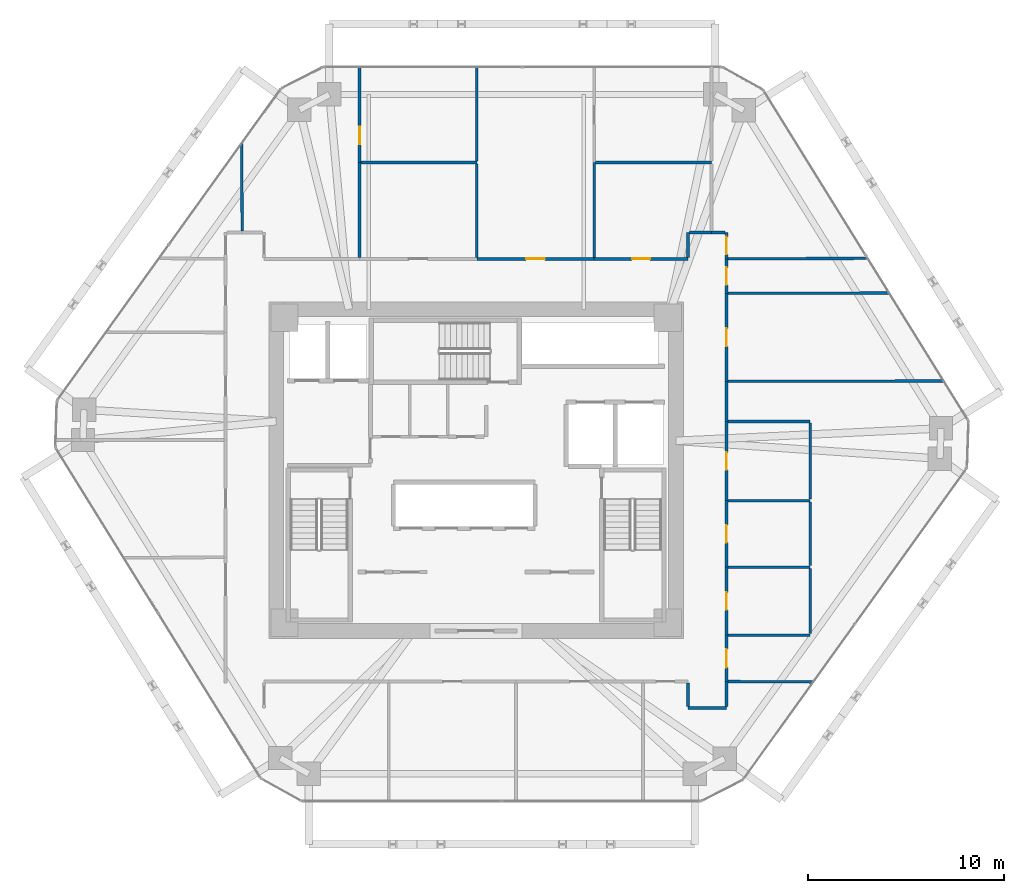
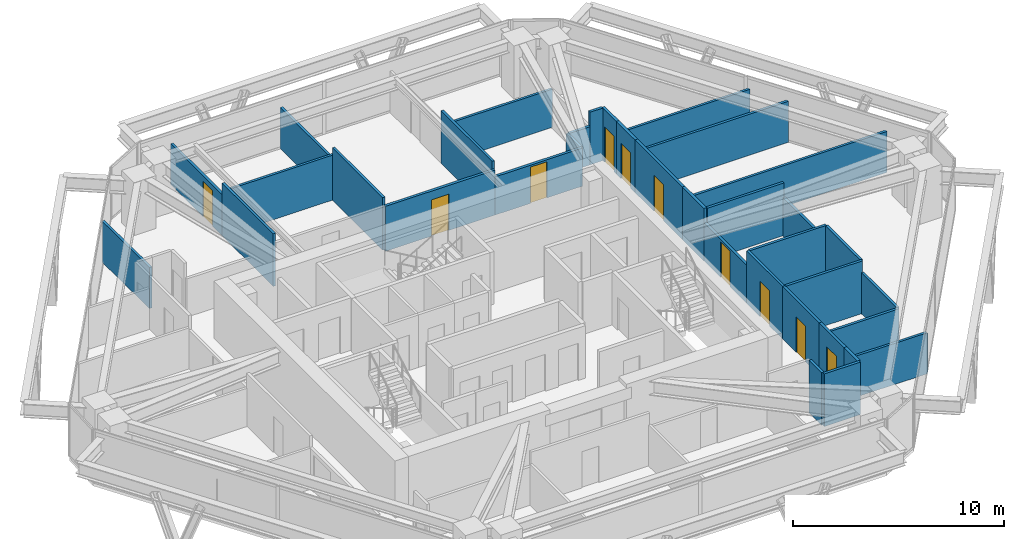
# One storey, part 12 of 14: 35 walls, 10 doors, 10 openings.
"""IFC4 building model written with IfcOpenShell, lengths in metres."""

from ifc_helpers import new_model, si_unit, direction, frame, frame_2d, origin, place, context, subcontext, project, spatial, rectangle, extrude, source, transform, mapped, material, layer, layer_set, type_object, type_shapes, element, fill, save


model = new_model("IFC4")

# Units and contexts
model_context = context("Model", 3, precision=1e-05, world=origin(), true_north=direction((0.0, 1.0)))
body_context = subcontext(model_context, "Body", "Model", "MODEL_VIEW")
ifc_project = project(units=[si_unit("LENGTHUNIT", "METRE"), si_unit("AREAUNIT", "SQUARE_METRE"), si_unit("VOLUMEUNIT", "CUBIC_METRE"), si_unit("PLANEANGLEUNIT", "RADIAN"), si_unit("MASSUNIT", "GRAM", prefix="KILO")], contexts=[model_context])

# Site, building, storey
site_placement = place(None, origin())
site = spatial("IfcSite", under=ifc_project, at=site_placement, CompositionType="ELEMENT")
building_placement = place(site_placement, origin())
building = spatial("IfcBuilding", under=site, at=building_placement, Name="Durnholm Broadcast Tower", CompositionType="ELEMENT")
storey_placement = place(building_placement, frame((0.0, 0.0, 120.60009765625)))
storey = spatial("IfcBuildingStorey", under=building, at=storey_placement, Name="L32", CompositionType="ELEMENT", Elevation=120.60009765625)

# Walls
ifc_material_1 = material(Name="Gypsum Metal Stud Partition", Category="concrete")
ifc_layer_1 = layer(ifc_material_1, 0.135009765625)
ifc_layer_set_1 = layer_set([ifc_layer_1], Name="Gypsum Metal Stud Partition")
wall_type_1 = type_object("IfcWallType", Name="WALL-PART-135", PredefinedType="PARTITIONING", material=ifc_layer_set_1)
wall_1_placement = place(storey_placement, frame((-11.992431640625, 16.706787109375, 0.0), z_axis=(0.0, 0.0, 1.0), x_axis=(0.007103645899, -0.999974768789, 0.0)))
element("IfcWall", 1, at=wall_1_placement, inside=storey, type_object=wall_type_1, Name="L32 room dividing partition 10.11", PredefinedType="PARTITIONING", context=body_context, shape_type="SweptSolid", body=[
    extrude(rectangle(XDim=4.4677734375, YDim=0.135009765625, at=frame_2d((2.23388671875, 0.0))), origin(), (0.0, 0.0, 1.0), 2.3798828125),
])
wall_2_placement = place(storey_placement, frame((-5.9599609375, 15.73291015625, 0.0), z_axis=(0.0, 0.0, 1.0), x_axis=(0.0, -1.0, 0.0)))
element("IfcWall", 2, at=wall_2_placement, inside=storey, type_object=wall_type_1, Name="L32 room dividing partition 11.12", PredefinedType="PARTITIONING", context=body_context, shape_type="SweptSolid", body=[
    extrude(rectangle(XDim=4.843994140625, YDim=0.135009765625, at=frame_2d((2.421875, 0.0))), origin(), (0.0, 0.0, 1.0), 3.044921875),
])

# Wall, opening, door
wall_3_placement = place(storey_placement, frame((-5.9599609375, 20.614990234375, 0.0), z_axis=(0.0, 0.0, 1.0), x_axis=(0.0, -1.0, 0.0)))
wall_3 = element("IfcWall", 3, at=wall_3_placement, inside=storey, type_object=wall_type_1, Name="L32 room dividing partition 11.13", PredefinedType="PARTITIONING", context=body_context, shape_type="SweptSolid", body=[
    extrude(rectangle(XDim=4.882080078125, YDim=0.135009765625, at=frame_2d((2.44091796875, 0.0))), origin(), (0.0, 0.0, 1.0), 2.3798828125),
])
opening_1_placement = place(wall_3_placement, frame((3.050048828125, 0.0, 0.0)))
opening_1 = element("IfcOpeningElement", 4, at=opening_1_placement, cuts=wall_3, Name="Opening DW-90L", PredefinedType="OPENING", context=body_context, shape_type="SweptSolid", body=[
    extrude(rectangle(XDim=0.89990234375, YDim=2.050048828125, at=frame_2d((0.449951171875, 1.02490234375))), frame((0.0, 0.07763671875, 0.0), z_axis=(0.0, -1.0, 0.0), x_axis=(1.0, 0.0, 0.0)), (0.0, 0.0, 1.0), 0.155029296875),
])
ifc_material_2 = material(Name="Laminate Restroom Door", Category="steel")
ifc_layer_2 = layer(ifc_material_2, 0.050048828125)
ifc_layer_set_2 = layer_set([ifc_layer_2], Name="Laminate Restroom Door")
door_type_1 = type_object("IfcDoorType", Name="DOOR-WC-900L", OperationType="NOTDEFINED", PredefinedType="DOOR", material=ifc_layer_set_2)
shared_shape_1 = source(origin(), body_context, "Body", "SweptSolid", [
    extrude(rectangle(XDim=0.89990234375, YDim=2.050048828125, at=frame_2d((0.449951171875, 1.02490234375))), frame((0.0, 0.02490234375, 0.0), z_axis=(0.0, -1.0, 0.0), x_axis=(1.0, 0.0, 0.0)), (0.0, 0.0, 1.0), 0.050048828125),
])
type_shapes(door_type_1, [shared_shape_1])
door_1_placement = place(opening_1_placement, origin())
door_1 = element("IfcDoor", 5, at=door_1_placement, inside=storey, type_object=door_type_1, Name="L32 Sales Presentation Hall connecting door", OperationType="SINGLE_SWING_LEFT", OverallHeight=2.050048828125, OverallWidth=0.89990234375, PredefinedType="DOOR", context=body_context, shape_type="MappedRepresentation", body=[
    mapped(shared_shape_1, transform((0.0, 0.0, 0.0), x_axis=(1.0, 0.0, 0.0), y_axis=(0.0, 1.0, 0.0), z_axis=(0.0, 0.0, 1.0), scale=1.0)),
])
fill(opening_1, door_1)

# Walls
wall_4_placement = place(storey_placement, frame((-5.888427734375, 15.73291015625, 0.0), z_axis=(0.0, 0.0, 1.0), x_axis=(1.0, 0.0, 0.0)))
element("IfcWall", 6, at=wall_4_placement, inside=storey, type_object=wall_type_1, Name="L32 room dividing partition 12.13", PredefinedType="PARTITIONING", context=body_context, shape_type="SweptSolid", body=[
    extrude(rectangle(XDim=5.928466796875, YDim=0.135009765625, at=frame_2d((2.96435546875, 0.0))), origin(), (0.0, 0.0, 1.0), 2.608154296875),
])
wall_5_placement = place(storey_placement, frame((0.0400390625, 15.66162109375, 0.0), z_axis=(0.0, 0.0, 1.0), x_axis=(0.0, -1.0, 0.0)))
element("IfcWall", 7, at=wall_5_placement, inside=storey, type_object=wall_type_1, Name="L32 room dividing partition 12.14", PredefinedType="PARTITIONING", context=body_context, shape_type="SweptSolid", body=[
    extrude(rectangle(XDim=4.772705078125, YDim=0.135009765625, at=frame_2d((2.38623046875, 0.0))), origin(), (0.0, 0.0, 1.0), 3.044921875),
])
wall_6_placement = place(storey_placement, frame((0.0400390625, 20.614990234375, 0.0), z_axis=(0.0, 0.0, 1.0), x_axis=(0.0, -1.0, 0.0)))
element("IfcWall", 8, at=wall_6_placement, inside=storey, type_object=wall_type_1, Name="L32 room dividing partition 13.14", PredefinedType="PARTITIONING", context=body_context, shape_type="SweptSolid", body=[
    extrude(rectangle(XDim=4.810546875, YDim=0.135009765625, at=frame_2d((2.4052734375, 0.0))), origin(), (0.0, 0.0, 1.0), 2.3798828125),
])
wall_7_placement = place(storey_placement, frame((6.0400390625, 15.73291015625, 0.0), z_axis=(0.0, 0.0, 1.0), x_axis=(0.0, -1.0, 0.0)))
element("IfcWall", 9, at=wall_7_placement, inside=storey, type_object=wall_type_1, Name="L32 room dividing partition 14.15", PredefinedType="PARTITIONING", context=body_context, shape_type="SweptSolid", body=[
    extrude(rectangle(XDim=4.843994140625, YDim=0.135009765625, at=frame_2d((2.421875, 0.0))), origin(), (0.0, 0.0, 1.0), 3.044921875),
])
wall_8_placement = place(storey_placement, frame((6.111572265625, 15.73291015625, 0.0), z_axis=(0.0, 0.0, 1.0), x_axis=(1.0, 0.0, 0.0)))
element("IfcWall", 10, at=wall_8_placement, inside=storey, type_object=wall_type_1, Name="L32 room dividing partition 15.16", PredefinedType="PARTITIONING", context=body_context, shape_type="SweptSolid", body=[
    extrude(rectangle(XDim=5.928466796875, YDim=0.135009765625, at=frame_2d((2.96435546875, 0.0))), origin(), (0.0, 0.0, 1.0), 2.2119140625),
])
wall_9_placement = place(storey_placement, frame((20.03515625, 10.8310546875, 0.0), z_axis=(0.0, 0.0, 1.0), x_axis=(-0.999995783715, -0.002903885812, 0.0)))
element("IfcWall", 11, at=wall_9_placement, inside=storey, type_object=wall_type_1, Name="L32 room dividing partition 17.28", PredefinedType="PARTITIONING", context=body_context, shape_type="SweptSolid", body=[
    extrude(rectangle(XDim=7.146240234375, YDim=0.135009765625, at=frame_2d((3.5732421875, 0.0))), origin(), (0.0, 0.0, 1.0), 2.3798828125),
])
wall_10_placement = place(storey_placement, frame((12.888916015625, -10.810302734375, 0.0), z_axis=(0.0, 0.0, 1.0), x_axis=(0.999986140562, -0.005264853658, 0.0)))
element("IfcWall", 12, at=wall_10_placement, inside=storey, type_object=wall_type_1, Name="L32 room dividing partition 21.26", PredefinedType="PARTITIONING", context=body_context, shape_type="SweptSolid", body=[
    extrude(rectangle(XDim=4.35888671875, YDim=0.135009765625, at=frame_2d((2.179443359375, 0.0))), origin(), (0.0, 0.0, 1.0), 2.3798828125),
])
wall_11_placement = place(storey_placement, frame((12.888916015625, 4.5400390625, 0.0), z_axis=(0.0, 0.0, 1.0), x_axis=(0.999998190037, 0.00190260933, 0.0)))
element("IfcWall", 13, at=wall_11_placement, inside=storey, type_object=wall_type_1, Name="L32 room dividing partition 26.27", PredefinedType="PARTITIONING", context=body_context, shape_type="SweptSolid", body=[
    extrude(rectangle(XDim=11.035400390625, YDim=0.135009765625, at=frame_2d((5.517578125, 0.0))), origin(), (0.0, 0.0, 1.0), 2.3798828125),
])
wall_12_placement = place(storey_placement, frame((12.888916015625, 9.040283203125, 0.0), z_axis=(0.0, 0.0, 1.0), x_axis=(0.999996831927, 0.00251716805, 0.0)))
element("IfcWall", 14, at=wall_12_placement, inside=storey, type_object=wall_type_1, Name="L32 room dividing partition 27.28", PredefinedType="PARTITIONING", context=body_context, shape_type="SweptSolid", body=[
    extrude(rectangle(XDim=8.244140625, YDim=0.135009765625, at=frame_2d((4.1220703125, 0.0))), origin(), (0.0, 0.0, 1.0), 2.3798828125),
])

# Wall, opening, door
ifc_material_3 = material(Name="Acoustic Gypsum Stud Partition", Category="concrete")
ifc_layer_3 = layer(ifc_material_3, 0.14990234375)
ifc_layer_set_3 = layer_set([ifc_layer_3], Name="Acoustic Gypsum Stud Partition")
wall_type_2 = type_object("IfcWallType", Name="WALL-PART-150", PredefinedType="PARTITIONING", material=ifc_layer_set_3)
wall_13_placement = place(storey_placement, frame((6.0400390625, 10.81005859375, 0.0), z_axis=(0.0, 0.0, 1.0), x_axis=(-1.0, 0.0, 0.0)))
wall_13 = element("IfcWall", 15, at=wall_13_placement, inside=storey, type_object=wall_type_2, Name="L32 Research Meeting Room corridor partition", PredefinedType="PARTITIONING", context=body_context, shape_type="SweptSolid", body=[
    extrude(rectangle(XDim=6.0, YDim=0.14990234375, at=frame_2d((3.0, 0.0))), origin(), (0.0, 0.0, 1.0), 2.608154296875),
])
opening_2_placement = place(wall_13_placement, frame((2.52490234375, 0.0, 0.0)))
opening_2 = element("IfcOpeningElement", 16, at=opening_2_placement, cuts=wall_13, Name="Opening DR-95R", PredefinedType="OPENING", context=body_context, shape_type="SweptSolid", body=[
    extrude(rectangle(XDim=0.949951171875, YDim=2.10009765625, at=frame_2d((0.47509765625, 1.050048828125))), frame((0.0, 0.0849609375, 0.0), z_axis=(0.0, -1.0, 0.0), x_axis=(1.0, 0.0, 0.0)), (0.0, 0.0, 1.0), 0.169921875),
])
ifc_material_4 = material(Name="Acoustic Oak Veneer Timber Door", Category="wood")
ifc_layer_4 = layer(ifc_material_4, 0.050048828125)
ifc_layer_set_4 = layer_set([ifc_layer_4], Name="Acoustic Oak Veneer Timber Door")
door_type_2 = type_object("IfcDoorType", Name="DOOR-RM-950R", OperationType="NOTDEFINED", PredefinedType="DOOR", material=ifc_layer_set_4)
shared_shape_2 = source(origin(), body_context, "Body", "SweptSolid", [
    extrude(rectangle(XDim=0.949951171875, YDim=2.10009765625, at=frame_2d((0.47509765625, 1.050048828125))), frame((0.0, 0.02490234375, 0.0), z_axis=(0.0, -1.0, 0.0), x_axis=(1.0, 0.0, 0.0)), (0.0, 0.0, 1.0), 0.050048828125),
])
type_shapes(door_type_2, [shared_shape_2])
door_2_placement = place(opening_2_placement, origin())
door_2 = element("IfcDoor", 17, at=door_2_placement, inside=storey, type_object=door_type_2, Name="L32 Research Meeting Room entrance door", OperationType="SINGLE_SWING_RIGHT", OverallHeight=2.10009765625, OverallWidth=0.949951171875, PredefinedType="DOOR", context=body_context, shape_type="MappedRepresentation", body=[
    mapped(shared_shape_2, transform((0.0, 0.0, 0.0), x_axis=(1.0, 0.0, 0.0), y_axis=(0.0, 1.0, 0.0), z_axis=(0.0, 0.0, 1.0), scale=1.0)),
])
fill(opening_2, door_2)

wall_14_placement = place(storey_placement, frame((10.840087890625, 10.81005859375, 0.0), z_axis=(0.0, 0.0, 1.0), x_axis=(-1.0, 0.0, 0.0)))
wall_14 = element("IfcWall", 18, at=wall_14_placement, inside=storey, type_object=wall_type_2, Name="L32 Hospitality Kitchen corridor partition", PredefinedType="PARTITIONING", context=body_context, shape_type="SweptSolid", body=[
    extrude(rectangle(XDim=4.800048828125, YDim=0.14990234375, at=frame_2d((2.39990234375, 0.0))), origin(), (0.0, 0.0, 1.0), 2.2119140625),
])
opening_3_placement = place(wall_14_placement, frame((1.93994140625, 0.0, 0.0)))
opening_3 = element("IfcOpeningElement", 19, at=opening_3_placement, cuts=wall_14, Name="Opening DR-92L", PredefinedType="OPENING", context=body_context, shape_type="SweptSolid", body=[
    extrude(rectangle(XDim=0.919921875, YDim=2.10009765625, at=frame_2d((0.4599609375, 1.050048828125))), frame((0.0, 0.0849609375, 0.0), z_axis=(0.0, -1.0, 0.0), x_axis=(1.0, 0.0, 0.0)), (0.0, 0.0, 1.0), 0.169921875),
])
ifc_material_5 = material(Name="Oak Veneer Office Door", Category="wood")
ifc_layer_5 = layer(ifc_material_5, 0.050048828125)
ifc_layer_set_5 = layer_set([ifc_layer_5], Name="Oak Veneer Office Door")
door_type_3 = type_object("IfcDoorType", Name="DOOR-RM-920L", OperationType="NOTDEFINED", PredefinedType="DOOR", material=ifc_layer_set_5)
shared_shape_3 = source(origin(), body_context, "Body", "SweptSolid", [
    extrude(rectangle(XDim=0.919921875, YDim=2.10009765625, at=frame_2d((0.4599609375, 1.050048828125))), frame((0.0, 0.02490234375, 0.0), z_axis=(0.0, -1.0, 0.0), x_axis=(1.0, 0.0, 0.0)), (0.0, 0.0, 1.0), 0.050048828125),
])
type_shapes(door_type_3, [shared_shape_3])
door_3_placement = place(opening_3_placement, origin())
door_3 = element("IfcDoor", 20, at=door_3_placement, inside=storey, type_object=door_type_3, Name="L32 Hospitality Kitchen entrance door", OperationType="SINGLE_SWING_LEFT", OverallHeight=2.10009765625, OverallWidth=0.919921875, PredefinedType="DOOR", context=body_context, shape_type="MappedRepresentation", body=[
    mapped(shared_shape_3, transform((0.0, 0.0, 0.0), x_axis=(1.0, 0.0, 0.0), y_axis=(0.0, 1.0, 0.0), z_axis=(0.0, 0.0, 1.0), scale=1.0)),
])
fill(opening_3, door_3)

# Walls
wall_15_placement = place(storey_placement, frame((10.840087890625, 12.159912109375, 0.0), z_axis=(0.0, 0.0, 1.0), x_axis=(0.0, -1.0, 0.0)))
element("IfcWall", 21, at=wall_15_placement, inside=storey, type_object=wall_type_2, Name="L32 Hospitality Kitchen corridor partition", PredefinedType="PARTITIONING", context=body_context, shape_type="SweptSolid", body=[
    extrude(rectangle(XDim=1.27099609375, YDim=0.14990234375, at=frame_2d((0.635498046875, 0.0))), origin(), (0.0, 0.0, 1.0), 2.2119140625),
])
wall_16_placement = place(storey_placement, frame((12.0400390625, 12.159912109375, 0.0), z_axis=(0.0, 0.0, 1.0), x_axis=(-1.0, 0.0, 0.0)))
element("IfcWall", 22, at=wall_16_placement, inside=storey, type_object=wall_type_2, Name="L32 Hospitality Kitchen corridor partition", PredefinedType="PARTITIONING", context=body_context, shape_type="SweptSolid", body=[
    extrude(rectangle(XDim=1.12109375, YDim=0.14990234375, at=frame_2d((0.560546875, 0.0))), origin(), (0.0, 0.0, 1.0), 2.2119140625),
])

# Wall, opening, door
wall_17_placement = place(storey_placement, frame((12.81005859375, 10.81005859375, 0.0), z_axis=(0.0, 0.0, 1.0), x_axis=(0.0, 1.0, 0.0)))
wall_17 = element("IfcWall", 23, at=wall_17_placement, inside=storey, type_object=wall_type_2, Name="L32 Preview Meeting Room corridor partition", PredefinedType="PARTITIONING", context=body_context, shape_type="SweptSolid", body=[
    extrude(rectangle(XDim=1.349853515625, YDim=0.14990234375, at=frame_2d((0.6748046875, 0.0))), origin(), (0.0, 0.0, 1.0), 3.044921875),
])
opening_4_placement = place(wall_17_placement, frame((0.22509765625, 0.0, 0.0)))
opening_4 = element("IfcOpeningElement", 24, at=opening_4_placement, cuts=wall_17, Name="Opening DW-90R", PredefinedType="OPENING", context=body_context, shape_type="SweptSolid", body=[
    extrude(rectangle(XDim=0.89990234375, YDim=2.050048828125, at=frame_2d((0.449951171875, 1.02490234375))), frame((0.0, 0.0849609375, 0.0), z_axis=(0.0, -1.0, 0.0), x_axis=(1.0, 0.0, 0.0)), (0.0, 0.0, 1.0), 0.169921875),
])
ifc_layer_6 = layer(ifc_material_2, 0.050048828125)
ifc_layer_set_6 = layer_set([ifc_layer_6], Name="Laminate Restroom Door")
door_type_4 = type_object("IfcDoorType", Name="DOOR-WC-900R", OperationType="NOTDEFINED", PredefinedType="DOOR", material=ifc_layer_set_6)
shared_shape_4 = source(origin(), body_context, "Body", "SweptSolid", [
    extrude(rectangle(XDim=0.89990234375, YDim=2.050048828125, at=frame_2d((0.449951171875, 1.02490234375))), frame((0.0, 0.02490234375, 0.0), z_axis=(0.0, -1.0, 0.0), x_axis=(1.0, 0.0, 0.0)), (0.0, 0.0, 1.0), 0.050048828125),
])
type_shapes(door_type_4, [shared_shape_4])
door_4_placement = place(opening_4_placement, origin())
door_4 = element("IfcDoor", 25, at=door_4_placement, inside=storey, type_object=door_type_4, Name="L32 Preview Meeting Room entrance door", OperationType="SINGLE_SWING_RIGHT", OverallHeight=2.050048828125, OverallWidth=0.89990234375, PredefinedType="DOOR", context=body_context, shape_type="MappedRepresentation", body=[
    mapped(shared_shape_4, transform((0.0, 0.0, 0.0), x_axis=(1.0, 0.0, 0.0), y_axis=(0.0, 1.0, 0.0), z_axis=(0.0, 0.0, 1.0), scale=1.0)),
])
fill(opening_4, door_4)

# Walls
wall_18_placement = place(storey_placement, frame((12.73095703125, 12.159912109375, 0.0), z_axis=(0.0, 0.0, 1.0), x_axis=(-1.0, 0.0, 0.0)))
element("IfcWall", 26, at=wall_18_placement, inside=storey, type_object=wall_type_2, Name="L32 Preview Meeting Room corridor partition", PredefinedType="PARTITIONING", context=body_context, shape_type="SweptSolid", body=[
    extrude(rectangle(XDim=0.69091796875, YDim=0.14990234375, at=frame_2d((0.345458984375, 0.0))), origin(), (0.0, 0.0, 1.0), 3.044921875),
])
wall_19_placement = place(storey_placement, frame((10.840087890625, -12.159912109375, 0.0), z_axis=(0.0, 0.0, 1.0), x_axis=(1.0, 0.0, 0.0)))
element("IfcWall", 27, at=wall_19_placement, inside=storey, type_object=wall_type_2, Name="L32 Open Plan Broadcast Workspace 1 corridor partition", PredefinedType="PARTITIONING", context=body_context, shape_type="SweptSolid", body=[
    extrude(rectangle(XDim=1.969970703125, YDim=0.14990234375, at=frame_2d((0.98486328125, 0.0))), origin(), (0.0, 0.0, 1.0), 3.044921875),
])
wall_20_placement = place(storey_placement, frame((10.840087890625, -10.888916015625, 0.0), z_axis=(0.0, 0.0, 1.0), x_axis=(0.0, -1.0, 0.0)))
element("IfcWall", 28, at=wall_20_placement, inside=storey, type_object=wall_type_2, Name="L32 Open Plan Broadcast Workspace 1 corridor partition", PredefinedType="PARTITIONING", context=body_context, shape_type="SweptSolid", body=[
    extrude(rectangle(XDim=1.192138671875, YDim=0.14990234375, at=frame_2d((0.59619140625, 0.0))), origin(), (0.0, 0.0, 1.0), 3.044921875),
])
wall_21_placement = place(storey_placement, frame((12.81005859375, -12.0810546875, 0.0), z_axis=(0.0, 0.0, 1.0), x_axis=(0.0, 1.0, 0.0)))
element("IfcWall", 29, at=wall_21_placement, inside=storey, type_object=wall_type_2, Name="L32 Open Plan Broadcast Workspace 1 corridor partition", PredefinedType="PARTITIONING", context=body_context, shape_type="SweptSolid", body=[
    extrude(rectangle(XDim=1.27099609375, YDim=0.14990234375, at=frame_2d((0.635498046875, 0.0))), origin(), (0.0, 0.0, 1.0), 3.044921875),
])

# Wall, opening, door
wall_22_placement = place(storey_placement, frame((12.81005859375, -10.81005859375, 0.0), z_axis=(0.0, 0.0, 1.0), x_axis=(0.0, 1.0, 0.0)))
wall_22 = element("IfcWall", 30, at=wall_22_placement, inside=storey, type_object=wall_type_2, Name="L32 Open Plan Broadcast Workspace 6 corridor partition", PredefinedType="PARTITIONING", context=body_context, shape_type="SweptSolid", body=[
    extrude(rectangle(XDim=2.3701171875, YDim=0.14990234375, at=frame_2d((1.18505859375, 0.0))), origin(), (0.0, 0.0, 1.0), 3.044921875),
])
opening_5_placement = place(wall_22_placement, frame((0.7099609375, 0.0, 0.0)))
opening_5 = element("IfcOpeningElement", 31, at=opening_5_placement, cuts=wall_22, Name="Opening DR-95L", PredefinedType="OPENING", context=body_context, shape_type="SweptSolid", body=[
    extrude(rectangle(XDim=0.949951171875, YDim=2.10009765625, at=frame_2d((0.47509765625, 1.050048828125))), frame((0.0, 0.0849609375, 0.0), z_axis=(0.0, -1.0, 0.0), x_axis=(1.0, 0.0, 0.0)), (0.0, 0.0, 1.0), 0.169921875),
])
ifc_layer_7 = layer(ifc_material_4, 0.050048828125)
ifc_layer_set_7 = layer_set([ifc_layer_7], Name="Acoustic Oak Veneer Timber Door")
door_type_5 = type_object("IfcDoorType", Name="DOOR-RM-950L", OperationType="NOTDEFINED", PredefinedType="DOOR", material=ifc_layer_set_7)
shared_shape_5 = source(origin(), body_context, "Body", "SweptSolid", [
    extrude(rectangle(XDim=0.949951171875, YDim=2.10009765625, at=frame_2d((0.47509765625, 1.050048828125))), frame((0.0, 0.02490234375, 0.0), z_axis=(0.0, -1.0, 0.0), x_axis=(1.0, 0.0, 0.0)), (0.0, 0.0, 1.0), 0.050048828125),
])
type_shapes(door_type_5, [shared_shape_5])
door_5_placement = place(opening_5_placement, origin())
door_5 = element("IfcDoor", 32, at=door_5_placement, inside=storey, type_object=door_type_5, Name="L32 Open Plan Broadcast Workspace 6 entrance door", OperationType="SINGLE_SWING_LEFT", OverallHeight=2.10009765625, OverallWidth=0.949951171875, PredefinedType="DOOR", context=body_context, shape_type="MappedRepresentation", body=[
    mapped(shared_shape_5, transform((0.0, 0.0, 0.0), x_axis=(1.0, 0.0, 0.0), y_axis=(0.0, 1.0, 0.0), z_axis=(0.0, 0.0, 1.0), scale=1.0)),
])
fill(opening_5, door_5)

# Wall
wall_23_placement = place(storey_placement, frame((12.81005859375, 2.489990234375, 0.0), z_axis=(0.0, 0.0, 1.0), x_axis=(0.0, 1.0, 0.0)))
element("IfcWall", 33, at=wall_23_placement, inside=storey, type_object=wall_type_2, Name="L32 Open Plan Broadcast Workspace 6 corridor partition", PredefinedType="PARTITIONING", context=body_context, shape_type="SweptSolid", body=[
    extrude(rectangle(XDim=2.050048828125, YDim=0.14990234375, at=frame_2d((1.02490234375, 0.0))), origin(), (0.0, 0.0, 1.0), 3.044921875),
])

# Wall, opening, door
wall_24_placement = place(storey_placement, frame((12.81005859375, 4.5400390625, 0.0), z_axis=(0.0, 0.0, 1.0), x_axis=(0.0, 1.0, 0.0)))
wall_24 = element("IfcWall", 34, at=wall_24_placement, inside=storey, type_object=wall_type_2, Name="L32 Media Lounge corridor partition", PredefinedType="PARTITIONING", context=body_context, shape_type="SweptSolid", body=[
    extrude(rectangle(XDim=4.5, YDim=0.14990234375, at=frame_2d((2.25, 0.0))), origin(), (0.0, 0.0, 1.0), 3.044921875),
])
opening_6_placement = place(wall_24_placement, frame((1.7900390625, 0.0, 0.0)))
opening_6 = element("IfcOpeningElement", 35, at=opening_6_placement, cuts=wall_24, Name="Opening DR-92R", PredefinedType="OPENING", context=body_context, shape_type="SweptSolid", body=[
    extrude(rectangle(XDim=0.919921875, YDim=2.10009765625, at=frame_2d((0.4599609375, 1.050048828125))), frame((0.0, 0.0849609375, 0.0), z_axis=(0.0, -1.0, 0.0), x_axis=(1.0, 0.0, 0.0)), (0.0, 0.0, 1.0), 0.169921875),
])
ifc_layer_8 = layer(ifc_material_5, 0.050048828125)
ifc_layer_set_8 = layer_set([ifc_layer_8], Name="Oak Veneer Office Door")
door_type_6 = type_object("IfcDoorType", Name="DOOR-RM-920R", OperationType="NOTDEFINED", PredefinedType="DOOR", material=ifc_layer_set_8)
shared_shape_6 = source(origin(), body_context, "Body", "SweptSolid", [
    extrude(rectangle(XDim=0.919921875, YDim=2.10009765625, at=frame_2d((0.4599609375, 1.050048828125))), frame((0.0, 0.02490234375, 0.0), z_axis=(0.0, -1.0, 0.0), x_axis=(1.0, 0.0, 0.0)), (0.0, 0.0, 1.0), 0.050048828125),
])
type_shapes(door_type_6, [shared_shape_6])
door_6_placement = place(opening_6_placement, origin())
door_6 = element("IfcDoor", 36, at=door_6_placement, inside=storey, type_object=door_type_6, Name="L32 Media Lounge entrance door", OperationType="SINGLE_SWING_RIGHT", OverallHeight=2.10009765625, OverallWidth=0.919921875, PredefinedType="DOOR", context=body_context, shape_type="MappedRepresentation", body=[
    mapped(shared_shape_6, transform((0.0, 0.0, 0.0), x_axis=(1.0, 0.0, 0.0), y_axis=(0.0, 1.0, 0.0), z_axis=(0.0, 0.0, 1.0), scale=1.0)),
])
fill(opening_6, door_6)

wall_25_placement = place(storey_placement, frame((12.81005859375, 9.0400390625, 0.0), z_axis=(0.0, 0.0, 1.0), x_axis=(0.0, 1.0, 0.0)))
wall_25 = element("IfcWall", 37, at=wall_25_placement, inside=storey, type_object=wall_type_2, Name="L32 Syndication Meeting Room 1 corridor partition", PredefinedType="PARTITIONING", context=body_context, shape_type="SweptSolid", body=[
    extrude(rectangle(XDim=1.77001953125, YDim=0.14990234375, at=frame_2d((0.885009765625, 0.0))), origin(), (0.0, 0.0, 1.0), 3.044921875),
])
opening_7_placement = place(wall_25_placement, frame((0.43505859375, 0.0, 0.0)))
opening_7 = element("IfcOpeningElement", 38, at=opening_7_placement, cuts=wall_25, Name="Opening DW-90L", PredefinedType="OPENING", context=body_context, shape_type="SweptSolid", body=[
    extrude(rectangle(XDim=0.89990234375, YDim=2.050048828125, at=frame_2d((0.449951171875, 1.02490234375))), frame((0.0, 0.0849609375, 0.0), z_axis=(0.0, -1.0, 0.0), x_axis=(1.0, 0.0, 0.0)), (0.0, 0.0, 1.0), 0.169921875),
])
door_7_placement = place(opening_7_placement, origin())
door_7 = element("IfcDoor", 39, at=door_7_placement, inside=storey, type_object=door_type_1, Name="L32 Syndication Meeting Room 1 entrance door", OperationType="SINGLE_SWING_LEFT", OverallHeight=2.050048828125, OverallWidth=0.89990234375, PredefinedType="DOOR", context=body_context, shape_type="MappedRepresentation", body=[
    mapped(shared_shape_1, transform((0.0, 0.0, 0.0), x_axis=(1.0, 0.0, 0.0), y_axis=(0.0, 1.0, 0.0), z_axis=(0.0, 0.0, 1.0), scale=1.0)),
])
fill(opening_7, door_7)

ifc_material_6 = material(Name="Moisture-Resistant Tile Partition", Category="concrete")
ifc_layer_9 = layer(ifc_material_6, 0.139892578125)
ifc_layer_set_9 = layer_set([ifc_layer_9], Name="Moisture-Resistant Tile Partition")
wall_type_3 = type_object("IfcWallType", Name="WALL-WC-140", PredefinedType="PARTITIONING", material=ifc_layer_set_9)
wall_26_placement = place(storey_placement, frame((12.81005859375, -8.43994140625, 0.0), z_axis=(0.0, 0.0, 1.0), x_axis=(0.0, 1.0, 0.0)))
wall_26 = element("IfcWall", 40, at=wall_26_placement, inside=storey, type_object=wall_type_3, Name="L32 Men's Restroom corridor partition", PredefinedType="PARTITIONING", context=body_context, shape_type="SweptSolid", body=[
    extrude(rectangle(XDim=3.47998046875, YDim=0.139892578125, at=frame_2d((1.739990234375, 0.0))), origin(), (0.0, 0.0, 1.0), 3.044921875),
])
opening_8_placement = place(wall_26_placement, frame((1.2900390625, 0.0, 0.0)))
opening_8 = element("IfcOpeningElement", 41, at=opening_8_placement, cuts=wall_26, Name="Opening DW-90R", PredefinedType="OPENING", context=body_context, shape_type="SweptSolid", body=[
    extrude(rectangle(XDim=0.89990234375, YDim=2.050048828125, at=frame_2d((0.449951171875, 1.02490234375))), frame((0.0, 0.080078125, 0.0), z_axis=(0.0, -1.0, 0.0), x_axis=(1.0, 0.0, 0.0)), (0.0, 0.0, 1.0), 0.159912109375),
])
door_8_placement = place(opening_8_placement, origin())
door_8 = element("IfcDoor", 42, at=door_8_placement, inside=storey, type_object=door_type_4, Name="L32 Men's Restroom entrance door", OperationType="SINGLE_SWING_RIGHT", OverallHeight=2.050048828125, OverallWidth=0.89990234375, PredefinedType="DOOR", context=body_context, shape_type="MappedRepresentation", body=[
    mapped(shared_shape_4, transform((0.0, 0.0, 0.0), x_axis=(1.0, 0.0, 0.0), y_axis=(0.0, 1.0, 0.0), z_axis=(0.0, 0.0, 1.0), scale=1.0)),
])
fill(opening_8, door_8)

wall_27_placement = place(storey_placement, frame((12.81005859375, -4.9599609375, 0.0), z_axis=(0.0, 0.0, 1.0), x_axis=(0.0, 1.0, 0.0)))
wall_27 = element("IfcWall", 43, at=wall_27_placement, inside=storey, type_object=wall_type_3, Name="L32 Women's Restroom corridor partition", PredefinedType="PARTITIONING", context=body_context, shape_type="SweptSolid", body=[
    extrude(rectangle(XDim=3.39990234375, YDim=0.139892578125, at=frame_2d((1.699951171875, 0.0))), origin(), (0.0, 0.0, 1.0), 3.044921875),
])
opening_9_placement = place(wall_27_placement, frame((1.25, 0.0, 0.0)))
opening_9 = element("IfcOpeningElement", 44, at=opening_9_placement, cuts=wall_27, Name="Opening DW-90L", PredefinedType="OPENING", context=body_context, shape_type="SweptSolid", body=[
    extrude(rectangle(XDim=0.89990234375, YDim=2.050048828125, at=frame_2d((0.449951171875, 1.02490234375))), frame((0.0, 0.080078125, 0.0), z_axis=(0.0, -1.0, 0.0), x_axis=(1.0, 0.0, 0.0)), (0.0, 0.0, 1.0), 0.159912109375),
])
door_9_placement = place(opening_9_placement, origin())
door_9 = element("IfcDoor", 45, at=door_9_placement, inside=storey, type_object=door_type_1, Name="L32 Women's Restroom entrance door", OperationType="SINGLE_SWING_LEFT", OverallHeight=2.050048828125, OverallWidth=0.89990234375, PredefinedType="DOOR", context=body_context, shape_type="MappedRepresentation", body=[
    mapped(shared_shape_1, transform((0.0, 0.0, 0.0), x_axis=(1.0, 0.0, 0.0), y_axis=(0.0, 1.0, 0.0), z_axis=(0.0, 0.0, 1.0), scale=1.0)),
])
fill(opening_9, door_9)

wall_28_placement = place(storey_placement, frame((12.81005859375, -1.56005859375, 0.0), z_axis=(0.0, 0.0, 1.0), x_axis=(0.0, 1.0, 0.0)))
wall_28 = element("IfcWall", 46, at=wall_28_placement, inside=storey, type_object=wall_type_3, Name="L32 Accessible Restroom corridor partition", PredefinedType="PARTITIONING", context=body_context, shape_type="SweptSolid", body=[
    extrude(rectangle(XDim=4.050048828125, YDim=0.139892578125, at=frame_2d((2.02490234375, 0.0))), origin(), (0.0, 0.0, 1.0), 2.2119140625),
])
opening_10_placement = place(wall_28_placement, frame((1.574951171875, 0.0, 0.0)))
opening_10 = element("IfcOpeningElement", 47, at=opening_10_placement, cuts=wall_28, Name="Opening DW-90R", PredefinedType="OPENING", context=body_context, shape_type="SweptSolid", body=[
    extrude(rectangle(XDim=0.89990234375, YDim=2.050048828125, at=frame_2d((0.449951171875, 1.02490234375))), frame((0.0, 0.080078125, 0.0), z_axis=(0.0, -1.0, 0.0), x_axis=(1.0, 0.0, 0.0)), (0.0, 0.0, 1.0), 0.159912109375),
])
door_10_placement = place(opening_10_placement, origin())
door_10 = element("IfcDoor", 48, at=door_10_placement, inside=storey, type_object=door_type_4, Name="L32 Accessible Restroom entrance door", OperationType="SINGLE_SWING_RIGHT", OverallHeight=2.050048828125, OverallWidth=0.89990234375, PredefinedType="DOOR", context=body_context, shape_type="MappedRepresentation", body=[
    mapped(shared_shape_4, transform((0.0, 0.0, 0.0), x_axis=(1.0, 0.0, 0.0), y_axis=(0.0, 1.0, 0.0), z_axis=(0.0, 0.0, 1.0), scale=1.0)),
])
fill(opening_10, door_10)

# Walls
wall_29_placement = place(storey_placement, frame((12.884033203125, -4.9599609375, 0.0), z_axis=(0.0, 0.0, 1.0), x_axis=(1.0, 0.0, 0.0)))
element("IfcWall", 49, at=wall_29_placement, inside=storey, type_object=wall_type_3, Name="L32 room dividing partition 7.8", PredefinedType="PARTITIONING", context=body_context, shape_type="SweptSolid", body=[
    extrude(rectangle(XDim=4.2060546875, YDim=0.139892578125, at=frame_2d((2.10302734375, 0.0))), origin(), (0.0, 0.0, 1.0), 3.044921875),
])
wall_30_placement = place(storey_placement, frame((17.090087890625, -8.43994140625, 0.0), z_axis=(0.0, 0.0, 1.0), x_axis=(-1.0, 0.0, 0.0)))
element("IfcWall", 50, at=wall_30_placement, inside=storey, type_object=wall_type_3, Name="L32 room dividing partition 7.26", PredefinedType="PARTITIONING", context=body_context, shape_type="SweptSolid", body=[
    extrude(rectangle(XDim=4.201171875, YDim=0.139892578125, at=frame_2d((2.1005859375, 0.0))), origin(), (0.0, 0.0, 1.0), 2.3798828125),
])
wall_31_placement = place(storey_placement, frame((17.090087890625, -5.033935546875, 0.0), z_axis=(0.0, 0.0, 1.0), x_axis=(0.0, -1.0, 0.0)))
element("IfcWall", 51, at=wall_31_placement, inside=storey, type_object=wall_type_3, Name="L32 room dividing partition 7.26", PredefinedType="PARTITIONING", context=body_context, shape_type="SweptSolid", body=[
    extrude(rectangle(XDim=3.33203125, YDim=0.139892578125, at=frame_2d((1.666015625, 0.0))), origin(), (0.0, 0.0, 1.0), 2.3798828125),
])
wall_32_placement = place(storey_placement, frame((12.884033203125, -1.56005859375, 0.0), z_axis=(0.0, 0.0, 1.0), x_axis=(1.0, 0.0, 0.0)))
element("IfcWall", 52, at=wall_32_placement, inside=storey, type_object=wall_type_3, Name="L32 room dividing partition 8.9", PredefinedType="PARTITIONING", context=body_context, shape_type="SweptSolid", body=[
    extrude(rectangle(XDim=4.2060546875, YDim=0.139892578125, at=frame_2d((2.10302734375, 0.0))), origin(), (0.0, 0.0, 1.0), 3.044921875),
])
wall_33_placement = place(storey_placement, frame((17.090087890625, -1.634033203125, 0.0), z_axis=(0.0, 0.0, 1.0), x_axis=(0.0, -1.0, 0.0)))
element("IfcWall", 53, at=wall_33_placement, inside=storey, type_object=wall_type_3, Name="L32 room dividing partition 8.26", PredefinedType="PARTITIONING", context=body_context, shape_type="SweptSolid", body=[
    extrude(rectangle(XDim=3.251953125, YDim=0.139892578125, at=frame_2d((1.6259765625, 0.0))), origin(), (0.0, 0.0, 1.0), 3.044921875),
])
wall_34_placement = place(storey_placement, frame((12.888916015625, 2.489990234375, 0.0), z_axis=(0.0, 0.0, 1.0), x_axis=(1.0, 0.0, 0.0)))
element("IfcWall", 54, at=wall_34_placement, inside=storey, type_object=wall_type_3, Name="L32 room dividing partition 9.26", PredefinedType="PARTITIONING", context=body_context, shape_type="SweptSolid", body=[
    extrude(rectangle(XDim=4.201171875, YDim=0.139892578125, at=frame_2d((2.1005859375, 0.0))), origin(), (0.0, 0.0, 1.0), 3.044921875),
])
wall_35_placement = place(storey_placement, frame((17.090087890625, 2.416015625, 0.0), z_axis=(0.0, 0.0, 1.0), x_axis=(0.0, -1.0, 0.0)))
element("IfcWall", 55, at=wall_35_placement, inside=storey, type_object=wall_type_3, Name="L32 room dividing partition 9.26", PredefinedType="PARTITIONING", context=body_context, shape_type="SweptSolid", body=[
    extrude(rectangle(XDim=3.902099609375, YDim=0.139892578125, at=frame_2d((1.951171875, 0.0))), origin(), (0.0, 0.0, 1.0), 2.2119140625),
])

save(model, "model.ifc")
